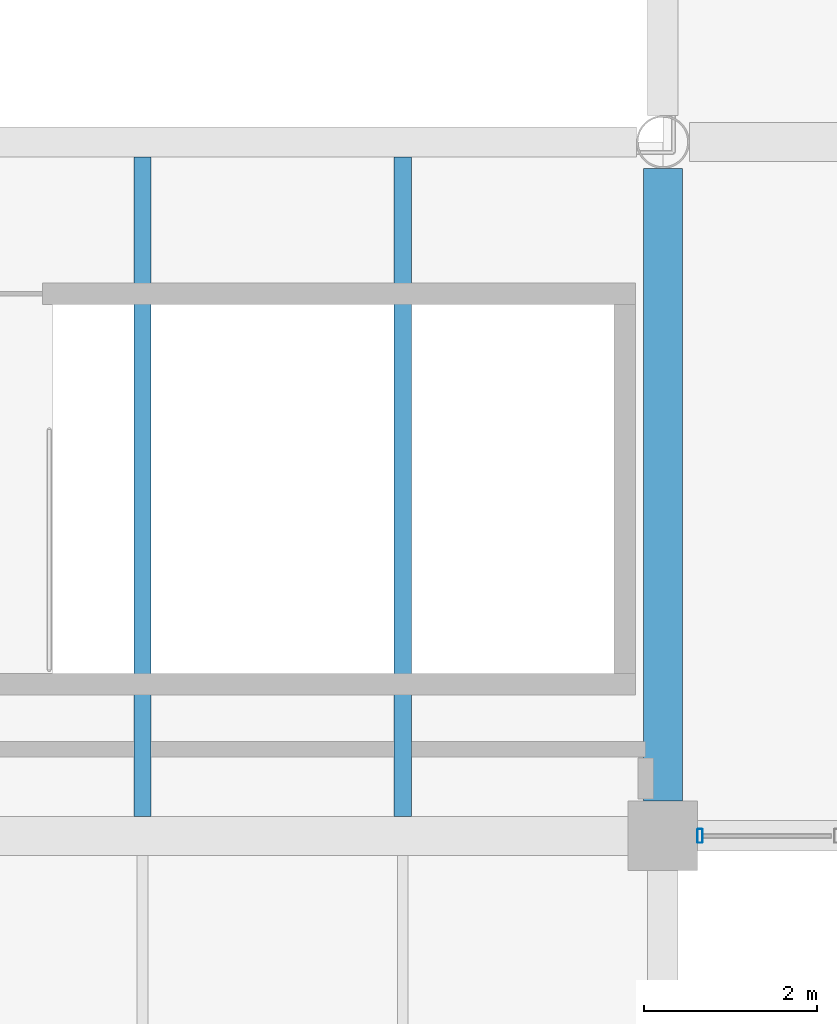
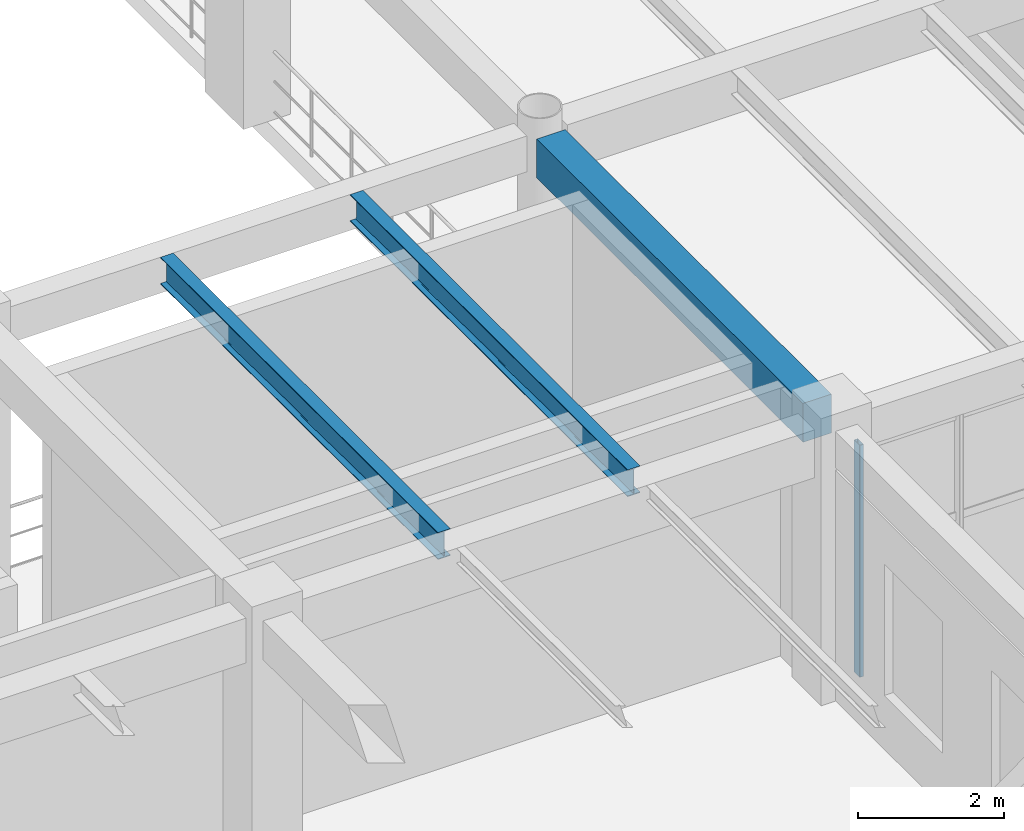
# One storey, part 35 of 178: 3 beams, 1 member, 1 element without a shape of its own.
"""IFC4 building model written with IfcOpenShell, lengths in metres."""

from ifc_helpers import new_model, si_unit, derived_unit, direction, frame, origin, origin_2d, place, context, subcontext, project, spatial, rectangle, hollow_rectangle, i_section, extrude, material, material_profile, profile_set, type_object, element, aggregate, save


model = new_model("IFC4")

# Units and contexts
model_context = context("Model", 3, precision=1e-05, world=origin(), true_north=direction((0.0, 1.0)))
body_context = subcontext(model_context, "Body", "Model", "MODEL_VIEW")
ifc_project = project(units=[si_unit("LENGTHUNIT", "METRE"), si_unit("AREAUNIT", "SQUARE_METRE"), si_unit("VOLUMEUNIT", "CUBIC_METRE"), si_unit("PLANEANGLEUNIT", "RADIAN"), si_unit("MASSUNIT", "GRAM", prefix="KILO"), derived_unit("THERMALTRANSMITTANCEUNIT", [(si_unit("MASSUNIT", "GRAM", prefix="KILO"), 1), (si_unit("TIMEUNIT", "SECOND"), -3), (si_unit("THERMODYNAMICTEMPERATUREUNIT", "KELVIN"), -1)])], contexts=[model_context])

# Site, building, storey
site_placement = place(None, origin())
site = spatial("IfcSite", under=ifc_project, at=site_placement, CompositionType="ELEMENT")
building_placement = place(site_placement, origin())
building = spatial("IfcBuilding", under=site, at=building_placement, Name="Zhenchuan Archway Interchange", CompositionType="ELEMENT")
storey_placement = place(building_placement, frame((0.0, 0.0, 5.39990234375)))
storey = spatial("IfcBuildingStorey", under=building, at=storey_placement, Name="L01", CompositionType="ELEMENT", Elevation=5.39990234375)

# Beam
ifc_material_1 = material(Name="Concrete C40", Category="concrete")
ifc_material_profile_1 = material_profile(ifc_material_1, rectangle(XDim=0.449951171875, YDim=0.64990234375, at=origin_2d()), Name="RC 450x650")
ifc_profile_set_1 = profile_set([ifc_material_profile_1], Name="Concrete C40")
beam_type_1 = type_object("IfcBeamType", Name="BM_RC_450x650", PredefinedType="BEAM", material=ifc_profile_set_1)
beam_placement = place(storey_placement, frame((63.0, 24.39990234375, 4.18505859375), z_axis=(0.0, 1.0, 0.0), x_axis=(-1.0, 0.0, 0.0)))
element("IfcBeam", 1, at=beam_placement, inside=storey, type_object=beam_type_1, Name="Beam 8:D-E (L01)", PredefinedType="BEAM", context=body_context, shape_type="SweptSolid", body=[
    extrude(rectangle(XDim=0.449951171875, YDim=0.64990234375, at=origin_2d()), origin(), (0.0, 0.0, 1.0), 7.295166015625),
])

# Curtain wall, member
ifc_material_2 = material(Name="Anodised Aluminium", Category="aluminium")
curtain_wall_type = type_object("IfcCurtainWallType", Name="CW_UNIT_4", PredefinedType="NOTDEFINED", material=ifc_material_2)
curtain_wall_placement = place(storey_placement, origin())
curtain_wall = element("IfcCurtainWall", 2, at=curtain_wall_placement, inside=storey, type_object=curtain_wall_type, Name="Unitised curtain wall CW:L01:079", PredefinedType="NOTDEFINED")
ifc_material_profile_2 = material_profile(ifc_material_2, hollow_rectangle(XDim=0.06005859375, YDim=0.159912109375, WallThickness=0.00390625, InnerFilletRadius=0.00390625, OuterFilletRadius=0.008056640625, at=origin_2d()), Name="ALU 160x60x4")
ifc_profile_set_2 = profile_set([ifc_material_profile_2], Name="Anodised Aluminium")
member_type = type_object("IfcMemberType", Name="CW_MUL_150", PredefinedType="MULLION", material=ifc_profile_set_2)
member_placement = place(storey_placement, frame((63.427978515625, 24.0, 0.0), z_axis=(0.0, 0.0, 1.0), x_axis=(1.0, 0.0, 0.0)))
member = element("IfcMember", 3, at=member_placement, type_object=member_type, Name="CW:L01:079 mullion 5", PredefinedType="MULLION", context=body_context, shape_type="SweptSolid", body=[
    extrude(hollow_rectangle(XDim=0.06005859375, YDim=0.159912109375, WallThickness=0.00390625, InnerFilletRadius=0.00390625, OuterFilletRadius=0.008056640625, at=origin_2d()), origin(), (0.0, 0.0, 1.0), 3.880126953125),
])
aggregate(curtain_wall, [member])

# Beams
ifc_material_3 = material(Name="Steel Q355", Category="steel")
ifc_material_profile_3 = material_profile(ifc_material_3, i_section(OverallWidth=0.199951171875, OverallDepth=0.449951171875, WebThickness=0.009033203125, FlangeThickness=0.013916015625, FilletRadius=0.01806640625, at=origin_2d()), Name="HN 450x200")
ifc_profile_set_3 = profile_set([ifc_material_profile_3], Name="Steel Q355")
beam_type_2 = type_object("IfcBeamType", Name="JST_STL_HN450", PredefinedType="JOIST", material=ifc_profile_set_3)
for number, where, z_axis, x_axis, name in (
    (4, (57.0, 24.22509765625, 4.28515625), (0.0, 1.0, 0.0), (-1.0, 0.0, 0.0), "Secondary joist 7-8/D-E #1 (L01)"),
    (5, (60.0, 24.22509765625, 4.28515625), (0.0, 1.0, 0.0), (-1.0, 0.0, 0.0), "Secondary joist 7-8/D-E #2 (L01)"),
):
    element("IfcBeam", number, at=place(storey_placement, frame(where, z_axis=z_axis, x_axis=x_axis)), inside=storey, type_object=beam_type_2, Name=name, PredefinedType="JOIST", context=body_context, shape_type="SweptSolid", body=[
        extrude(i_section(OverallWidth=0.199951171875, OverallDepth=0.449951171875, WebThickness=0.009033203125, FlangeThickness=0.013916015625, FilletRadius=0.01806640625, at=origin_2d()), origin(), (0.0, 0.0, 1.0), 7.599853515625),
    ])

save(model, "model.ifc")
